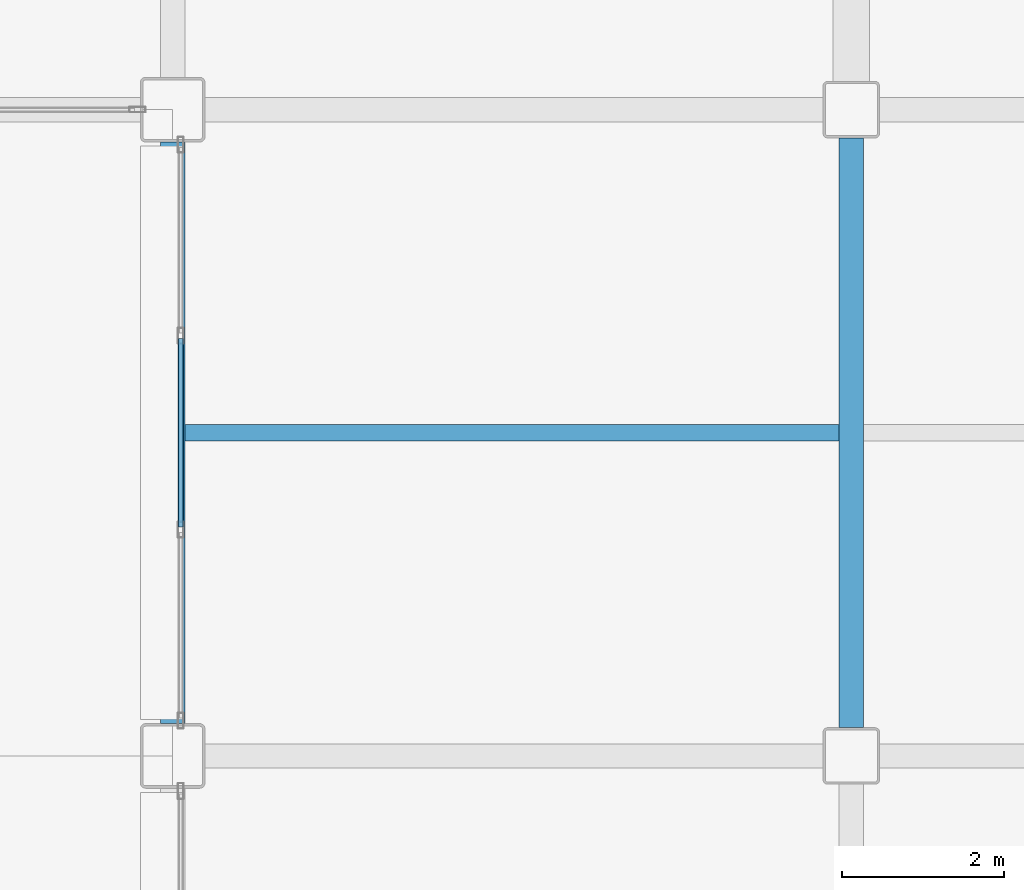
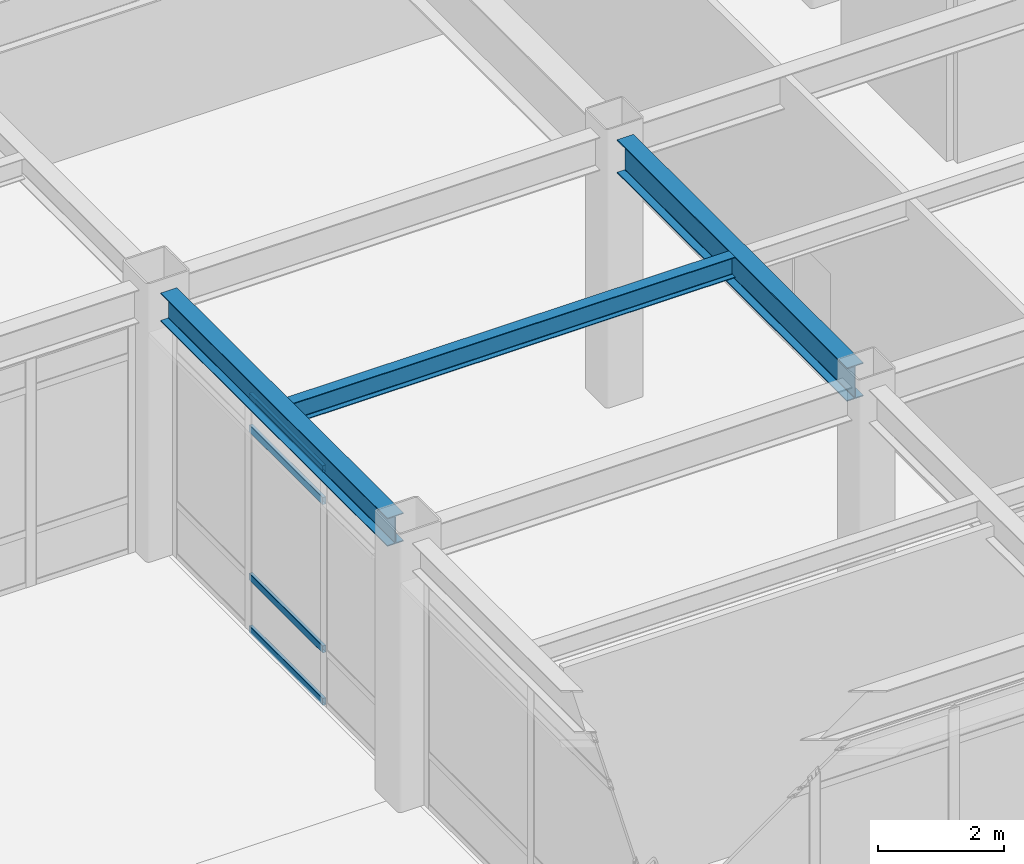
# One storey, part 83 of 165: 4 members, 3 beams, 1 element without a shape of its own.
"""IFC4 building model written with IfcOpenShell, lengths in metres."""

from ifc_helpers import new_model, si_unit, direction, frame, origin, origin_2d, place, context, subcontext, project, spatial, hollow_rectangle, i_section, extrude, material, layer, layer_set, material_profile, profile_set, type_object, element, aggregate, save


model = new_model("IFC4")

# Units and contexts
model_context = context("Model", 3, precision=1e-05, world=origin(), true_north=direction((0.0, 1.0)))
body_context = subcontext(model_context, "Body", "Model", "MODEL_VIEW")
ifc_project = project(units=[si_unit("LENGTHUNIT", "METRE"), si_unit("AREAUNIT", "SQUARE_METRE"), si_unit("VOLUMEUNIT", "CUBIC_METRE"), si_unit("PLANEANGLEUNIT", "RADIAN"), si_unit("MASSUNIT", "GRAM", prefix="KILO")], contexts=[model_context])

# Site, building, storey
site_placement = place(None, origin())
site = spatial("IfcSite", under=ifc_project, at=site_placement, CompositionType="ELEMENT")
building_placement = place(site_placement, origin())
building = spatial("IfcBuilding", under=site, at=building_placement, Name="Kazehara Bluff Congress Hotel", CompositionType="ELEMENT")
storey_placement = place(building_placement, origin())
storey = spatial("IfcBuildingStorey", under=building, at=storey_placement, Name="L00", CompositionType="ELEMENT", Elevation=0.0)

# Curtain wall, members
ifc_material_1 = material(Name="Anodised aluminium", Category="aluminium")
ifc_layer = layer(ifc_material_1, 0.159912109375)
ifc_layer_set = layer_set([ifc_layer], Name="Anodised aluminium")
curtain_wall_type = type_object("IfcCurtainWallType", Name="TP-CW-104", PredefinedType="NOTDEFINED", material=ifc_layer_set)
curtain_wall_placement = place(storey_placement, origin())
curtain_wall = element("IfcCurtainWall", 1, at=curtain_wall_placement, inside=storey, type_object=curtain_wall_type, Name="L00 curtain wall CW-104 CW-ENC-V5-L00-14380-1200", PredefinedType="NOTDEFINED")
ifc_material_2 = material(Name="Anodised aluminium", Category="aluminium")
ifc_material_profile_1 = material_profile(ifc_material_2, hollow_rectangle(XDim=0.06494140625, YDim=0.139892578125, WallThickness=0.00390625, InnerFilletRadius=0.00390625, OuterFilletRadius=0.008056640625, at=origin_2d()))
ifc_profile_set_1 = profile_set([ifc_material_profile_1], Name="Anodised aluminium")
member_type = type_object("IfcMemberType", Name="TP-CWT-02", PredefinedType="USERDEFINED", material=ifc_profile_set_1)
member_1_placement = place(storey_placement, frame((143.800048828125, 10.8349609375, 0.032470703125), z_axis=(0.0, 1.0, 0.0), x_axis=(-1.0, 0.0, 0.0)))
member_1 = element("IfcMember", 2, at=member_1_placement, type_object=member_type, Name="CW-104 transom 2.1", ObjectType="TRANSOM", PredefinedType="USERDEFINED", context=body_context, shape_type="SweptSolid", body=[
    extrude(hollow_rectangle(XDim=0.06494140625, YDim=0.139892578125, WallThickness=0.00390625, InnerFilletRadius=0.00390625, OuterFilletRadius=0.008056640625, at=origin_2d()), origin(), (0.0, 0.0, 1.0), 2.330078125),
])
member_2_placement = place(storey_placement, frame((143.800048828125, 10.8349609375, 1.050048828125), z_axis=(0.0, 1.0, 0.0), x_axis=(-1.0, 0.0, 0.0)))
member_2 = element("IfcMember", 3, at=member_2_placement, type_object=member_type, Name="CW-104 transom 2.2", ObjectType="TRANSOM", PredefinedType="USERDEFINED", context=body_context, shape_type="SweptSolid", body=[
    extrude(hollow_rectangle(XDim=0.06494140625, YDim=0.139892578125, WallThickness=0.00390625, InnerFilletRadius=0.00390625, OuterFilletRadius=0.008056640625, at=origin_2d()), origin(), (0.0, 0.0, 1.0), 2.330078125),
])
member_3_placement = place(storey_placement, frame((143.800048828125, 10.8349609375, 3.925048828125), z_axis=(0.0, 1.0, 0.0), x_axis=(-1.0, 0.0, 0.0)))
member_3 = element("IfcMember", 4, at=member_3_placement, type_object=member_type, Name="CW-104 transom 2.3", ObjectType="TRANSOM", PredefinedType="USERDEFINED", context=body_context, shape_type="SweptSolid", body=[
    extrude(hollow_rectangle(XDim=0.06494140625, YDim=0.139892578125, WallThickness=0.00390625, InnerFilletRadius=0.00390625, OuterFilletRadius=0.008056640625, at=origin_2d()), origin(), (0.0, 0.0, 1.0), 2.330078125),
])
member_4_placement = place(storey_placement, frame((143.800048828125, 10.8349609375, 4.54248046875), z_axis=(0.0, 1.0, 0.0), x_axis=(-1.0, 0.0, 0.0)))
member_4 = element("IfcMember", 5, at=member_4_placement, type_object=member_type, Name="CW-104 transom 2.4", ObjectType="TRANSOM", PredefinedType="USERDEFINED", context=body_context, shape_type="SweptSolid", body=[
    extrude(hollow_rectangle(XDim=0.06494140625, YDim=0.139892578125, WallThickness=0.00390625, InnerFilletRadius=0.00390625, OuterFilletRadius=0.008056640625, at=origin_2d()), origin(), (0.0, 0.0, 1.0), 2.330078125),
])
aggregate(curtain_wall, [member_1, member_2, member_3, member_4])

# Beams
ifc_material_3 = material(Name="Steel SN490B", Category="steel")
ifc_material_profile_2 = material_profile(ifc_material_3, i_section(OverallWidth=0.300048828125, OverallDepth=0.64990234375, WebThickness=0.011962890625, FlangeThickness=0.02001953125, FilletRadius=0.012939453125, at=origin_2d()))
ifc_profile_set_2 = profile_set([ifc_material_profile_2], Name="Steel SN490B")
beam_type_1 = type_object("IfcBeamType", Name="TP-G-03", PredefinedType="BEAM", material=ifc_profile_set_2)
beam_1_placement = place(storey_placement, frame((152.10009765625, 8.35009765625, 4.824951171875), z_axis=(0.0, 1.0, 0.0), x_axis=(-1.0, 0.0, 0.0)))
element("IfcBeam", 6, at=beam_1_placement, inside=storey, type_object=beam_type_1, Name="L00 girder G-03 243", PredefinedType="BEAM", context=body_context, shape_type="SweptSolid", body=[
    extrude(i_section(OverallWidth=0.300048828125, OverallDepth=0.64990234375, WebThickness=0.011962890625, FlangeThickness=0.02001953125, FilletRadius=0.012939453125, at=origin_2d()), origin(), (0.0, 0.0, 1.0), 7.2998046875),
])
ifc_material_4 = material(Name="Steel SN400B", Category="steel")
ifc_material_profile_3 = material_profile(ifc_material_4, i_section(OverallWidth=0.199951171875, OverallDepth=0.39990234375, WebThickness=0.008056640625, FlangeThickness=0.012939453125, FilletRadius=0.012939453125, at=origin_2d()))
ifc_profile_set_3 = profile_set([ifc_material_profile_3], Name="Steel SN400B")
beam_type_2 = type_object("IfcBeamType", Name="TP-J-03", PredefinedType="JOIST", material=ifc_profile_set_3)
beam_2_placement = place(storey_placement, frame((143.85009765625, 12.0, 4.949951171875), z_axis=(1.0, 0.0, 0.0), x_axis=(0.0, 1.0, 0.0)))
element("IfcBeam", 7, at=beam_2_placement, inside=storey, type_object=beam_type_2, Name="L00 secondary joist J-03 62", PredefinedType="JOIST", context=body_context, shape_type="SweptSolid", body=[
    extrude(i_section(OverallWidth=0.199951171875, OverallDepth=0.39990234375, WebThickness=0.008056640625, FlangeThickness=0.012939453125, FilletRadius=0.012939453125, at=origin_2d()), origin(), (0.0, 0.0, 1.0), 8.099853515625),
])
ifc_material_5 = material(Name="Steel SN490B", Category="steel")
ifc_material_profile_4 = material_profile(ifc_material_5, i_section(OverallWidth=0.300048828125, OverallDepth=0.550048828125, WebThickness=0.010986328125, FlangeThickness=0.01806640625, FilletRadius=0.012939453125, at=origin_2d()))
ifc_profile_set_4 = profile_set([ifc_material_profile_4], Name="Steel SN490B")
beam_type_3 = type_object("IfcBeamType", Name="TP-SP-01", PredefinedType="SPANDREL", material=ifc_profile_set_4)
beam_3_placement = place(storey_placement, frame((143.699951171875, 8.39990234375, 4.875), z_axis=(0.0, 1.0, 0.0), x_axis=(-1.0, 0.0, 0.0)))
element("IfcBeam", 8, at=beam_3_placement, inside=storey, type_object=beam_type_3, Name="L00 girder SP-01 230", PredefinedType="SPANDREL", context=body_context, shape_type="SweptSolid", body=[
    extrude(i_section(OverallWidth=0.300048828125, OverallDepth=0.550048828125, WebThickness=0.010986328125, FlangeThickness=0.01806640625, FilletRadius=0.012939453125, at=origin_2d()), origin(), (0.0, 0.0, 1.0), 7.2001953125),
])

save(model, "model.ifc")
